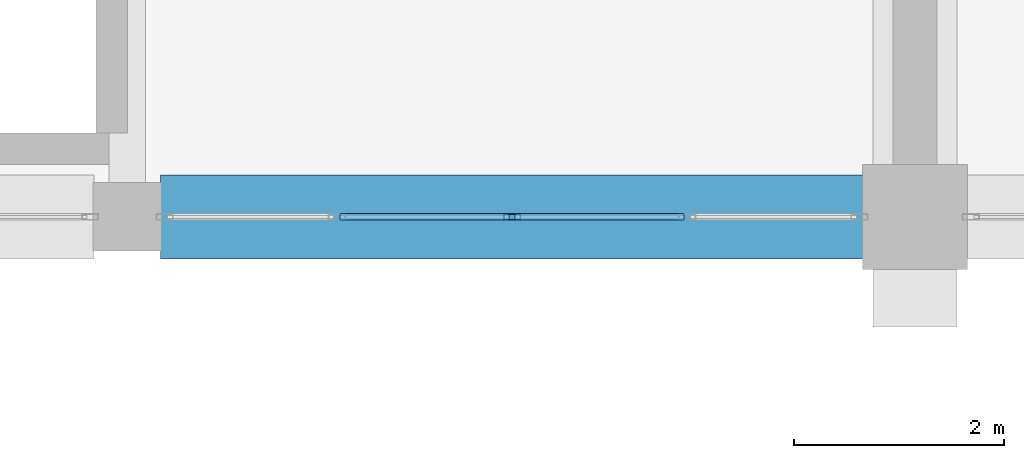
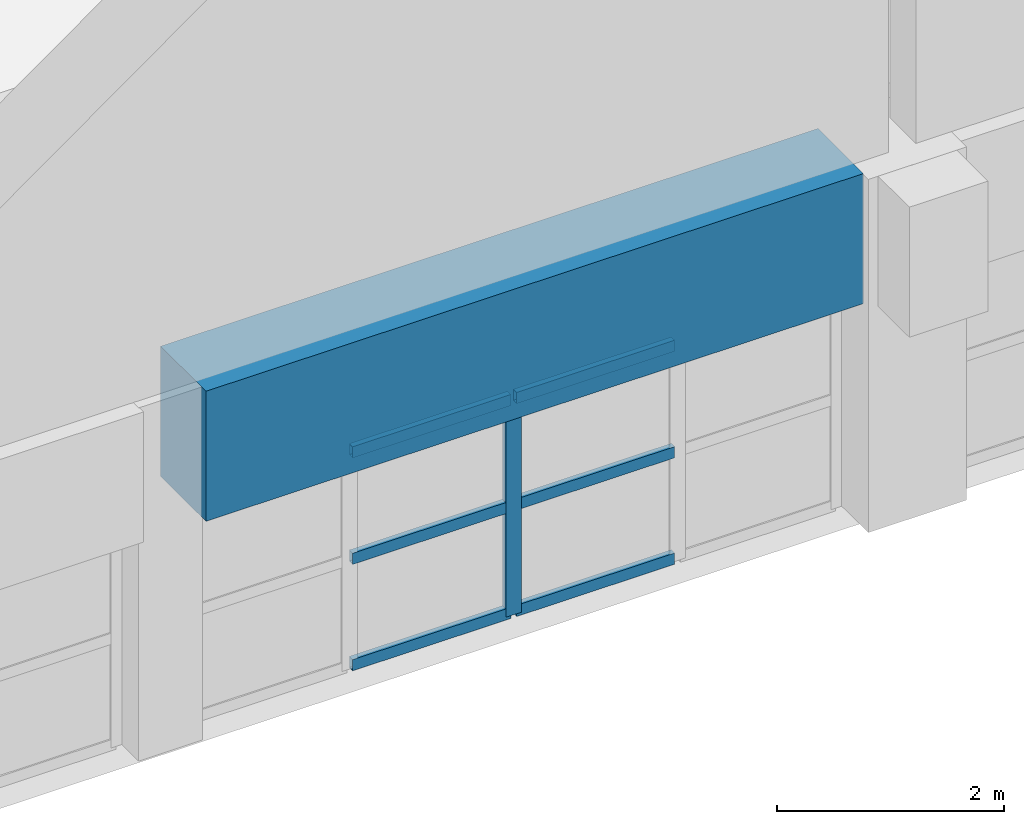
# One storey, part 5 of 74: 7 members, 1 beam, 1 element without a shape of its own.
"""IFC4 building model written with IfcOpenShell, lengths in metres."""

from ifc_helpers import new_model, si_unit, direction, frame, origin, origin_2d, place, context, subcontext, project, spatial, rectangle, hollow_rectangle, extrude, material, layer, layer_set, material_profile, profile_set, type_object, element, aggregate, save


model = new_model("IFC4")

# Units and contexts
model_context = context("Model", 3, precision=1e-05, world=origin(), true_north=direction((0.0, 1.0)))
body_context = subcontext(model_context, "Body", "Model", "MODEL_VIEW")
ifc_project = project(units=[si_unit("LENGTHUNIT", "METRE"), si_unit("AREAUNIT", "SQUARE_METRE"), si_unit("VOLUMEUNIT", "CUBIC_METRE"), si_unit("PLANEANGLEUNIT", "RADIAN"), si_unit("MASSUNIT", "GRAM", prefix="KILO")], contexts=[model_context])

# Site, building, storey
site_placement = place(None, origin())
site = spatial("IfcSite", under=ifc_project, at=site_placement, CompositionType="ELEMENT")
building_placement = place(site_placement, origin())
building = spatial("IfcBuilding", under=site, at=building_placement, Name="Muzn Square Opera House", CompositionType="ELEMENT")
storey_placement = place(building_placement, frame((0.0, 0.0, 14.199951171875)))
storey = spatial("IfcBuildingStorey", under=building, at=storey_placement, Name="L03", CompositionType="ELEMENT", Elevation=14.199951171875)

# Curtain wall, members
ifc_material_1 = material(Name="Low-E laminated acoustic double glazing", Category="glass")
ifc_layer = layer(ifc_material_1, 0.159912109375, Name="Low-E laminated acoustic double glazing", Category="glass")
ifc_layer_set = layer_set([ifc_layer], Name="Low-E laminated acoustic double glazing")
curtain_wall_type = type_object("IfcCurtainWallType", Name="Glazed Curtain Wall Forecourt 6675x2350", PredefinedType="USERDEFINED", material=ifc_layer_set)
curtain_wall_placement = place(storey_placement, origin())
curtain_wall = element("IfcCurtainWall", 1, at=curtain_wall_placement, inside=storey, type_object=curtain_wall_type, Name="Glazed Curtain Wall CW-L03-021", ObjectType="GLAZED CURTAIN WALL", PredefinedType="USERDEFINED")
ifc_material_2 = material(Name="Anodised bronze aluminium 6063-T6", Category="metal")
ifc_material_profile_1 = material_profile(ifc_material_2, hollow_rectangle(XDim=0.06005859375, YDim=0.159912109375, WallThickness=0.00390625, at=origin_2d()), Name="ALU 160x60x4", Category="metal")
ifc_profile_set_1 = profile_set([ifc_material_profile_1], Name="Anodised bronze aluminium 6063-T6")
member_type_1 = type_object("IfcMemberType", Name="Curtain Wall Mullion 160x60", PredefinedType="MULLION", material=ifc_profile_set_1)
member_1_placement = place(storey_placement, frame((69.16259765625, 22.0, 0.0), z_axis=(0.0, 0.0, 1.0), x_axis=(0.0, 1.0, 0.0)))
member_1 = element("IfcMember", 2, at=member_1_placement, type_object=member_type_1, Name="CW-FC-66x23 mullion 3", PredefinedType="MULLION", context=body_context, shape_type="SweptSolid", body=[
    extrude(hollow_rectangle(XDim=0.06005859375, YDim=0.159912109375, WallThickness=0.00390625, at=origin_2d()), origin(), (0.0, 0.0, 1.0), 2.35009765625),
])
ifc_material_profile_2 = material_profile(ifc_material_2, hollow_rectangle(XDim=0.06005859375, YDim=0.1201171875, WallThickness=0.00390625, at=origin_2d()), Name="ALU 120x60x4", Category="metal")
ifc_profile_set_2 = profile_set([ifc_material_profile_2], Name="Anodised bronze aluminium 6063-T6")
member_type_2 = type_object("IfcMemberType", Name="Curtain Wall Transom 120x60", PredefinedType="USERDEFINED", material=ifc_profile_set_2)
member_2_placement = place(storey_placement, frame((67.523681640625, 22.0, 0.030029296875), z_axis=(1.0, 0.0, 0.0), x_axis=(0.0, 1.0, 0.0)))
member_2 = element("IfcMember", 3, at=member_2_placement, type_object=member_type_2, Name="CW-FC-66x23 transom 2.1", ObjectType="TRANSOM", PredefinedType="USERDEFINED", context=body_context, shape_type="SweptSolid", body=[
    extrude(hollow_rectangle(XDim=0.06005859375, YDim=0.1201171875, WallThickness=0.00390625, at=origin_2d()), origin(), (0.0, 0.0, 1.0), 1.60888671875),
])
member_3_placement = place(storey_placement, frame((67.523681640625, 22.0, 1.175048828125), z_axis=(1.0, 0.0, 0.0), x_axis=(0.0, 1.0, 0.0)))
member_3 = element("IfcMember", 4, at=member_3_placement, type_object=member_type_2, Name="CW-FC-66x23 transom 2.2", ObjectType="TRANSOM", PredefinedType="USERDEFINED", context=body_context, shape_type="SweptSolid", body=[
    extrude(hollow_rectangle(XDim=0.06005859375, YDim=0.1201171875, WallThickness=0.00390625, at=origin_2d()), origin(), (0.0, 0.0, 1.0), 1.60888671875),
])
member_4_placement = place(storey_placement, frame((67.523681640625, 22.0, 2.320068359375), z_axis=(1.0, 0.0, 0.0), x_axis=(0.0, 1.0, 0.0)))
member_4 = element("IfcMember", 5, at=member_4_placement, type_object=member_type_2, Name="CW-FC-66x23 transom 2.3", ObjectType="TRANSOM", PredefinedType="USERDEFINED", context=body_context, shape_type="SweptSolid", body=[
    extrude(hollow_rectangle(XDim=0.06005859375, YDim=0.1201171875, WallThickness=0.00390625, at=origin_2d()), origin(), (0.0, 0.0, 1.0), 1.60888671875),
])
member_5_placement = place(storey_placement, frame((69.1923828125, 22.0, 0.030029296875), z_axis=(1.0, 0.0, 0.0), x_axis=(0.0, 1.0, 0.0)))
member_5 = element("IfcMember", 6, at=member_5_placement, type_object=member_type_2, Name="CW-FC-66x23 transom 3.1", ObjectType="TRANSOM", PredefinedType="USERDEFINED", context=body_context, shape_type="SweptSolid", body=[
    extrude(hollow_rectangle(XDim=0.06005859375, YDim=0.1201171875, WallThickness=0.00390625, at=origin_2d()), origin(), (0.0, 0.0, 1.0), 1.60888671875),
])
member_6_placement = place(storey_placement, frame((69.1923828125, 22.0, 1.175048828125), z_axis=(1.0, 0.0, 0.0), x_axis=(0.0, 1.0, 0.0)))
member_6 = element("IfcMember", 7, at=member_6_placement, type_object=member_type_2, Name="CW-FC-66x23 transom 3.2", ObjectType="TRANSOM", PredefinedType="USERDEFINED", context=body_context, shape_type="SweptSolid", body=[
    extrude(hollow_rectangle(XDim=0.06005859375, YDim=0.1201171875, WallThickness=0.00390625, at=origin_2d()), origin(), (0.0, 0.0, 1.0), 1.60888671875),
])
member_7_placement = place(storey_placement, frame((69.1923828125, 22.0, 2.320068359375), z_axis=(1.0, 0.0, 0.0), x_axis=(0.0, 1.0, 0.0)))
member_7 = element("IfcMember", 8, at=member_7_placement, type_object=member_type_2, Name="CW-FC-66x23 transom 3.3", ObjectType="TRANSOM", PredefinedType="USERDEFINED", context=body_context, shape_type="SweptSolid", body=[
    extrude(hollow_rectangle(XDim=0.06005859375, YDim=0.1201171875, WallThickness=0.00390625, at=origin_2d()), origin(), (0.0, 0.0, 1.0), 1.60888671875),
])
aggregate(curtain_wall, [member_1, member_2, member_3, member_4, member_5, member_6, member_7])

# Beam
ifc_material_3 = material(Name="Concrete C45/55", Category="concrete")
ifc_material_profile_3 = material_profile(ifc_material_3, rectangle(XDim=0.800048828125, YDim=1.39990234375, at=origin_2d()), Name="RCB 800x1400", Category="concrete")
ifc_profile_set_3 = profile_set([ifc_material_profile_3], Name="Concrete C45/55")
beam_type = type_object("IfcBeamType", Name="Vault Springing Girder 800x1400", PredefinedType="BEAM", material=ifc_profile_set_3)
beam_placement = place(storey_placement, frame((65.81689453125, 22.0, 3.10009765625), z_axis=(1.0, 0.0, 0.0), x_axis=(0.0, 1.0, 0.0)))
element("IfcBeam", 9, at=beam_placement, inside=storey, type_object=beam_type, Name="Gable Support Girder BM-L03-BM-VS1400-658_220_725_220-2410", PredefinedType="BEAM", context=body_context, shape_type="SweptSolid", body=[
    extrude(rectangle(XDim=0.800048828125, YDim=1.39990234375, at=origin_2d()), origin(), (0.0, 0.0, 1.0), 6.691162109375),
])

save(model, "model.ifc")
